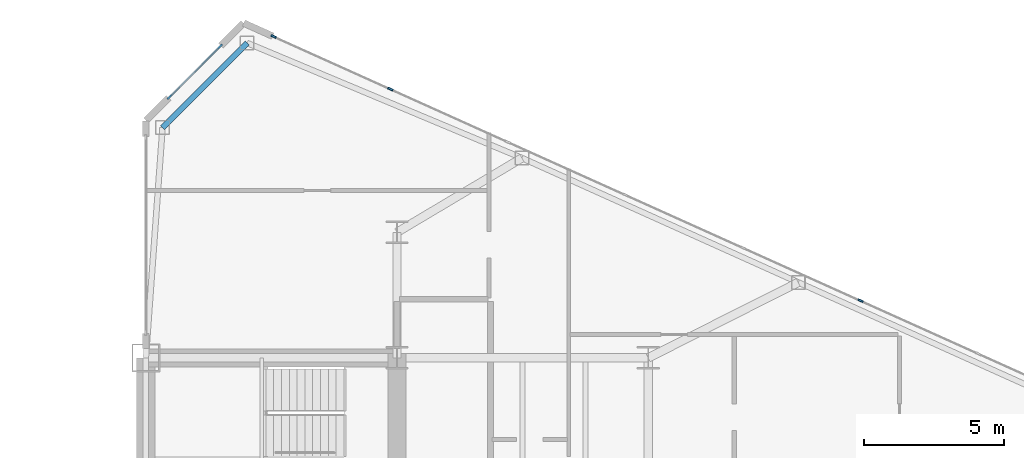
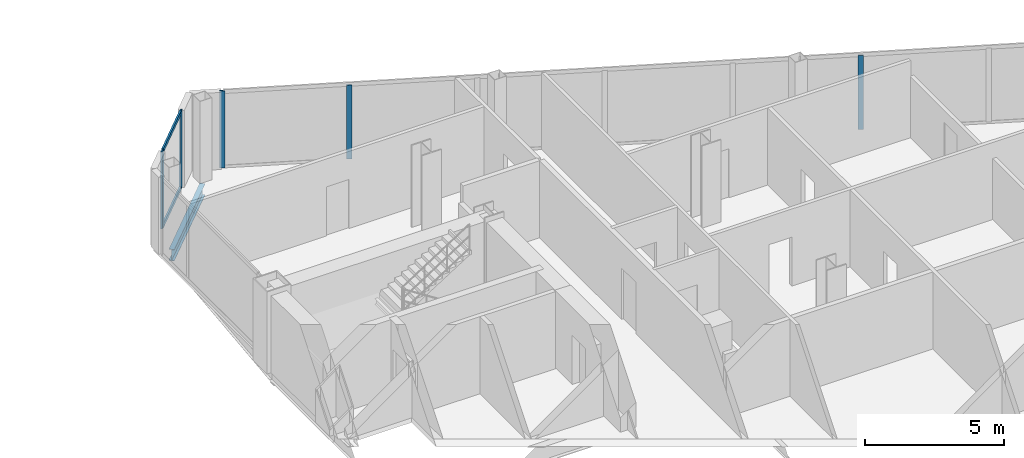
# One storey, part 15 of 27: 7 members, 1 beam, 2 elements without a shape of their own.
"""IFC4 building model written with IfcOpenShell, lengths in metres."""

from ifc_helpers import new_model, si_unit, direction, frame, origin, origin_2d, place, context, subcontext, project, spatial, rectangle, i_section, extrude, source, transform, mapped, material, layer, layer_set, material_profile, profile_set, type_object, type_shapes, element, aggregate, save


model = new_model("IFC4")

# Units and contexts
model_context = context("Model", 3, precision=1e-05, world=origin(), true_north=direction((0.0, 1.0)))
body_context = subcontext(model_context, "Body", "Model", "MODEL_VIEW")
ifc_project = project(units=[si_unit("LENGTHUNIT", "METRE"), si_unit("AREAUNIT", "SQUARE_METRE"), si_unit("VOLUMEUNIT", "CUBIC_METRE"), si_unit("PLANEANGLEUNIT", "RADIAN"), si_unit("MASSUNIT", "GRAM", prefix="KILO")], contexts=[model_context])

# Site, building, storey
site_placement = place(None, origin())
site = spatial("IfcSite", under=ifc_project, at=site_placement, CompositionType="ELEMENT")
building_placement = place(site_placement, origin())
building = spatial("IfcBuilding", under=site, at=building_placement, Name="Seokmaru Belvedere", CompositionType="ELEMENT")
storey_placement = place(building_placement, frame((0.0, 0.0, 92.39990234375)))
storey = spatial("IfcBuildingStorey", under=building, at=storey_placement, Name="L24", CompositionType="ELEMENT", Elevation=92.39990234375)

# Beam
ifc_material_1 = material(Name="Steel SM355 (355 MPa)", Category="steel")
ifc_material_profile_1 = material_profile(ifc_material_1, i_section(OverallWidth=0.199951171875, OverallDepth=0.5, WebThickness=0.010009765625, FlangeThickness=0.01611328125, at=origin_2d()), Name="H-500x200x10x16")
ifc_profile_set_1 = profile_set([ifc_material_profile_1], Name="Steel SM355 (355 MPa)")
beam_type = type_object("IfcBeamType", Name="Perimeter Spandrel Beam H-500", PredefinedType="SPANDREL", material=ifc_profile_set_1)
shared_shape_1 = source(origin(), body_context, "Body", "SweptSolid", [
    extrude(i_section(OverallWidth=0.199951171875, OverallDepth=0.5, WebThickness=0.010009765625, FlangeThickness=0.01611328125, at=origin_2d()), origin(), (0.0, 0.0, 1.0), 4.287109375),
])
type_shapes(beam_type, [shared_shape_1])
beam_placement = place(storey_placement, frame((31.13134765625, 24.782958984375, -0.469970703125), z_axis=(-0.707078306132, -0.707135255094, 0.0), x_axis=(0.707135255094, -0.707078306132, 0.0)))
element("IfcBeam", 1, at=beam_placement, inside=storey, type_object=beam_type, Name="L24 E Shoulder Chamfer Spandrel N", PredefinedType="SPANDREL", context=body_context, shape_type="MappedRepresentation", body=[
    mapped(shared_shape_1, transform((0.0, 0.0, 0.0), scale=1.0)),
])

# Curtain wall, members
ifc_material_2 = material(Name="Bronze Triple Insulating Glass", Category="glass")
ifc_layer = layer(ifc_material_2, 0.195068359375)
ifc_layer_set = layer_set([ifc_layer], Name="Bronze Triple Insulating Glass")
curtain_wall_type = type_object("IfcCurtainWallType", Name="Lower-Mid Tapered Curtain Wall System CW-3", PredefinedType="NOTDEFINED", material=ifc_layer_set)
curtain_wall_1_placement = place(storey_placement, origin())
curtain_wall_1 = element("IfcCurtainWall", 2, at=curtain_wall_1_placement, inside=storey, type_object=curtain_wall_type, Name="L24 Curtain Wall EF4", PredefinedType="NOTDEFINED")
ifc_material_3 = material(Name="Anodised Bronze Aluminium", Category="aluminium")
ifc_material_profile_2 = material_profile(ifc_material_3, rectangle(XDim=0.070068359375, YDim=0.1650390625, at=origin_2d()), Name="CW-T-70x165")
ifc_profile_set_2 = profile_set([ifc_material_profile_2], Name="Anodised Bronze Aluminium")
member_type_1 = type_object("IfcMemberType", Name="Bronze Unitised Transom 70x165", PredefinedType="USERDEFINED", material=ifc_profile_set_2)
shared_shape_2 = source(origin(), body_context, "Body", "SweptSolid", [
    extrude(rectangle(XDim=0.070068359375, YDim=0.1650390625, at=origin_2d()), origin(), (0.0, 0.0, 1.0), 2.509521484375),
])
type_shapes(member_type_1, [shared_shape_2])
member_1_placement = place(storey_placement, frame((30.13720703125, 24.63720703125, 0.03515625), z_axis=(-0.707106781187, -0.707106781187, 0.0), x_axis=(0.707106781187, -0.707106781187, 0.0)))
member_1 = element("IfcMember", 3, at=member_1_placement, type_object=member_type_1, Name="CW:L24:EF4 Continuous Transom 1", ObjectType="TRANSOM", PredefinedType="USERDEFINED", context=body_context, shape_type="MappedRepresentation", body=[
    mapped(shared_shape_2, transform((0.0, 0.0, 0.0), scale=1.0)),
])
member_2_placement = place(storey_placement, frame((30.13720703125, 24.63720703125, 3.34521484375), z_axis=(-0.707106781187, -0.707106781187, 0.0), x_axis=(0.707106781187, -0.707106781187, 0.0)))
member_2 = element("IfcMember", 4, at=member_2_placement, type_object=member_type_1, Name="CW:L24:EF4 Continuous Transom 2", ObjectType="TRANSOM", PredefinedType="USERDEFINED", context=body_context, shape_type="MappedRepresentation", body=[
    mapped(shared_shape_2, transform((0.0, 0.0, 0.0), scale=1.0)),
])

curtain_wall_2_placement = place(storey_placement, origin())
curtain_wall_2 = element("IfcCurtainWall", 5, at=curtain_wall_2_placement, inside=storey, type_object=curtain_wall_type, Name="L24 Curtain Wall EF3", PredefinedType="NOTDEFINED")
ifc_material_profile_3 = material_profile(ifc_material_3, rectangle(XDim=0.070068359375, YDim=0.195068359375, at=origin_2d()), Name="CW-M-70x195")
ifc_profile_set_3 = profile_set([ifc_material_profile_3], Name="Anodised Bronze Aluminium")
member_type_2 = type_object("IfcMemberType", Name="Bronze Unitised Mullion 70x195", PredefinedType="MULLION", material=ifc_profile_set_3)
shared_shape_3 = source(origin(), body_context, "Body", "SweptSolid", [
    extrude(rectangle(XDim=0.070068359375, YDim=0.195068359375, at=origin_2d()), origin(), (0.0, 0.0, 1.0), 3.239990234375),
])
member_3_placement = place(storey_placement, frame((53.105712890625, 15.552490234375, 0.070068359375), z_axis=(0.0, 0.0, 1.0), x_axis=(-0.41036554765, -0.91192111353, 0.0)))
member_3 = element("IfcMember", 6, at=member_3_placement, type_object=member_type_2, Name="CW:L24:EF3 Mullion 5", PredefinedType="MULLION", context=body_context, shape_type="MappedRepresentation", body=[
    mapped(shared_shape_3, transform((0.0, 0.0, 0.0), scale=1.0)),
])
member_4_placement = place(storey_placement, frame((36.260009765625, 23.133056640625, 0.070068359375), z_axis=(0.0, 0.0, 1.0), x_axis=(-0.41036554765, -0.91192111353, 0.0)))
member_4 = element("IfcMember", 7, at=member_4_placement, type_object=member_type_2, Name="CW:L24:EF3 Mullion 9", PredefinedType="MULLION", context=body_context, shape_type="MappedRepresentation", body=[
    mapped(shared_shape_3, transform((0.0, 0.0, 0.0), scale=1.0)),
])
shared_shape_4 = source(origin(), body_context, "Body", "SweptSolid", [
    extrude(rectangle(XDim=0.070068359375, YDim=0.195068359375, at=origin_2d()), origin(), (0.0, 0.0, 1.0), 3.380126953125),
])
type_shapes(member_type_2, [shared_shape_3, shared_shape_4])
member_5_placement = place(storey_placement, frame((32.08056640625, 25.013671875, 0.0), z_axis=(0.0, 0.0, 1.0), x_axis=(-0.41036554765, -0.91192111353, 0.0)))
member_5 = element("IfcMember", 8, at=member_5_placement, type_object=member_type_2, Name="CW:L24:EF3 Mullion 10", PredefinedType="MULLION", context=body_context, shape_type="MappedRepresentation", body=[
    mapped(shared_shape_4, transform((0.0, 0.0, 0.0), scale=1.0)),
])
aggregate(curtain_wall_2, [member_3, member_4, member_5])

# Member
member_6_placement = place(storey_placement, frame((30.162109375, 24.662109375, 0.0), z_axis=(0.0, 0.0, 1.0), x_axis=(0.707106781187, -0.707106781187, 0.0)))
member_6 = element("IfcMember", 9, at=member_6_placement, type_object=member_type_2, Name="CW:L24:EF4 Mullion 1", PredefinedType="MULLION", context=body_context, shape_type="MappedRepresentation", body=[
    mapped(shared_shape_4, transform((0.0, 0.0, 0.0), scale=1.0)),
])

member_7_placement = place(storey_placement, frame((28.337890625, 22.837890625, 0.0), z_axis=(0.0, 0.0, 1.0), x_axis=(0.707106781187, -0.707106781187, 0.0)))
member_7 = element("IfcMember", 10, at=member_7_placement, type_object=member_type_2, Name="CW:L24:EF4 Mullion 2", PredefinedType="MULLION", context=body_context, shape_type="MappedRepresentation", body=[
    mapped(shared_shape_4, transform((0.0, 0.0, 0.0), scale=1.0)),
])

aggregate(curtain_wall_1, [member_6, member_7, member_1, member_2])

save(model, "model.ifc")
